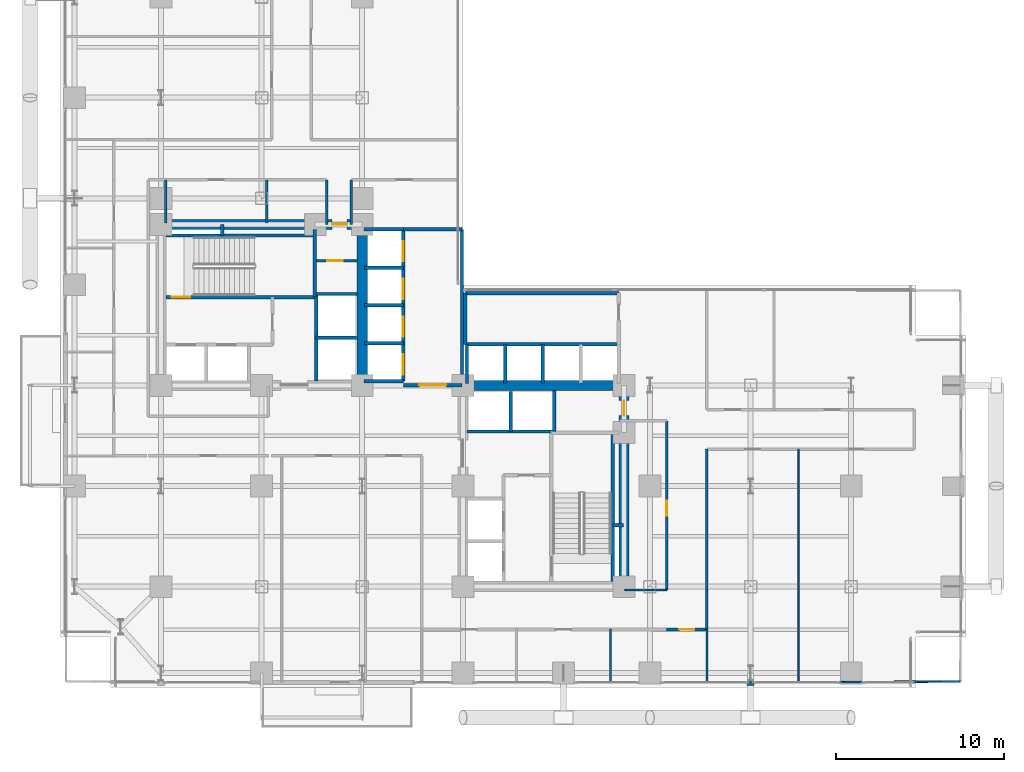
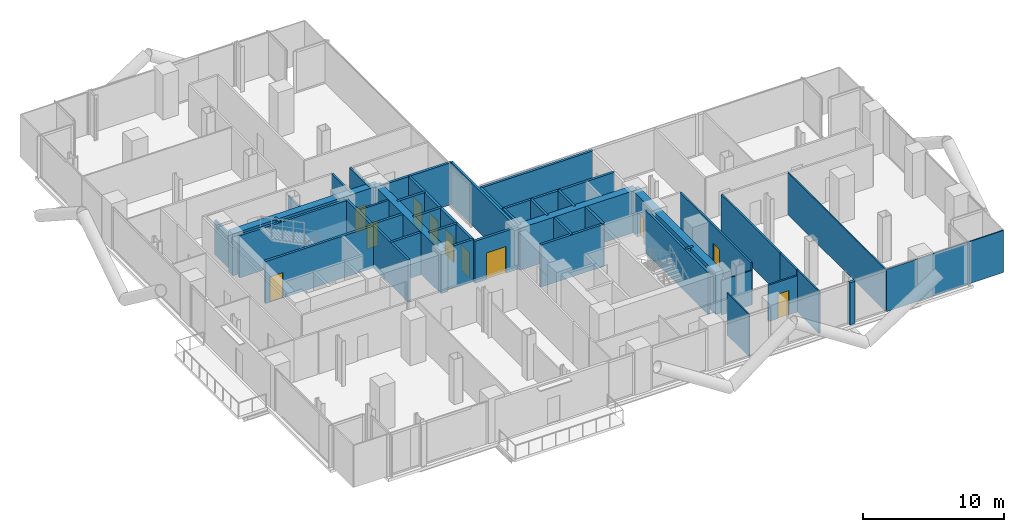
# One storey, part 21 of 25: 46 walls, 11 doors, 11 openings.
"""IFC4 building model written with IfcOpenShell, lengths in metres."""

from ifc_helpers import new_model, si_unit, direction, frame, frame_2d, origin, place, context, subcontext, project, spatial, rectangle, extrude, material, layer, layer_set, type_object, element, fill, save


model = new_model("IFC4")

# Units and contexts
model_context = context("Model", 3, precision=1e-05, world=origin(), true_north=direction((0.0, 1.0)))
body_context = subcontext(model_context, "Body", "Model", "MODEL_VIEW")
ifc_project = project(units=[si_unit("LENGTHUNIT", "METRE"), si_unit("AREAUNIT", "SQUARE_METRE"), si_unit("VOLUMEUNIT", "CUBIC_METRE"), si_unit("PLANEANGLEUNIT", "RADIAN"), si_unit("MASSUNIT", "GRAM", prefix="KILO"), si_unit("THERMODYNAMICTEMPERATUREUNIT", "KELVIN"), si_unit("POWERUNIT", "WATT")], contexts=[model_context])

# Site, building, storey
site_placement = place(None, origin())
site = spatial("IfcSite", under=ifc_project, at=site_placement, CompositionType="ELEMENT")
building_placement = place(site_placement, origin())
building = spatial("IfcBuilding", under=site, at=building_placement, Name="Svarakhadi Broadcast Tower", CompositionType="ELEMENT")
storey_placement = place(building_placement, frame((0.0, 0.0, 32.39990234375)))
storey = spatial("IfcBuildingStorey", under=building, at=storey_placement, Name="L06", CompositionType="ELEMENT", Elevation=32.39990234375)

# Walls
ifc_material_1 = material(Name="Concrete C40/50 (IS 456 M50)", Category="concrete")
ifc_layer_1 = layer(ifc_material_1, 0.239990234375)
ifc_layer_set_1 = layer_set([ifc_layer_1], Name="Concrete C40/50 (IS 456 M50)")
wall_type_1 = type_object("IfcWallType", Name="Wall_Ext_240", PredefinedType="SOLIDWALL", material=ifc_layer_set_1)
wall_1_placement = place(storey_placement, frame((41.364990234375, 0.239990234375, 0.0), z_axis=(0.0, 0.0, 1.0), x_axis=(-1.0, 0.0, 0.0)))
element("IfcWall", 1, at=wall_1_placement, inside=storey, type_object=wall_type_1, Name="L06 Perimeter Bronze Spandrel Closure Wall 05", PredefinedType="SOLIDWALL", context=body_context, shape_type="SweptSolid", body=[
    extrude(rectangle(XDim=0.429931640625, YDim=0.239990234375, at=frame_2d((0.21484375, 0.0))), origin(), (0.0, 0.0, 1.0), 3.650146484375),
])
ifc_layer_2 = layer(ifc_material_1, 0.199951171875)
ifc_layer_set_2 = layer_set([ifc_layer_2], Name="Concrete C40/50 (IS 456 M50)")
wall_type_2 = type_object("IfcWallType", Name="Wall_Fire_200", PredefinedType="SOLIDWALL", material=ifc_layer_set_2)
for number, where, z_axis, x_axis, name in (
    (2, (9.659912109375, 26.93994140625, 0.0), (0.0, 0.0, 1.0), (0.0, 1.0, 0.0), "L06 Wet Riser Shaft East Wall"),
    (3, (32.93994140625, 9.659912109375, 0.0), (0.0, 0.0, 1.0), (1.0, 0.0, 0.0), "L06 HV Busduct Riser Shaft North Wall"),
):
    element("IfcWall", number, at=place(storey_placement, frame(where, z_axis=z_axis, x_axis=x_axis)), inside=storey, type_object=wall_type_2, Name=name, PredefinedType="SOLIDWALL", context=body_context, shape_type="SweptSolid", body=[
        extrude(rectangle(XDim=0.64013671875, YDim=0.199951171875, at=frame_2d((0.320068359375, 0.0))), origin(), (0.0, 0.0, 1.0), 3.650146484375),
    ])
ifc_material_2 = material(Name="Fire-Rated Moisture-Resistant Gypsum Board Partition", Category="gypsum")
ifc_layer_3 = layer(ifc_material_2, 0.10009765625)
ifc_layer_set_3 = layer_set([ifc_layer_3], Name="Fire-Rated Moisture-Resistant Gypsum Board Partition")
wall_type_3 = type_object("IfcWallType", Name="Wall_Part_100", PredefinedType="PARTITIONING", material=ifc_layer_set_3)
wall_2_placement = place(storey_placement, frame((44.0, 0.300048828125, 0.0), z_axis=(0.0, 0.0, 1.0), x_axis=(0.0, 1.0, 0.0)))
element("IfcWall", 4, at=wall_2_placement, inside=storey, type_object=wall_type_3, Name="L06 Waterfront International News Desk Wall", PredefinedType="PARTITIONING", context=body_context, shape_type="SweptSolid", body=[
    extrude(rectangle(XDim=13.89990234375, YDim=0.10009765625, at=frame_2d((6.949951171875, 0.0))), origin(), (0.0, 0.0, 1.0), 3.650146484375),
])
wall_3_placement = place(storey_placement, frame((44.0, 0.300048828125, 0.0), z_axis=(0.0, 0.0, 1.0), x_axis=(0.99998655059, 0.005186389791, 0.0)))
element("IfcWall", 5, at=wall_3_placement, inside=storey, type_object=wall_type_3, Name="L06 Wire Service Server Room Wall", PredefinedType="PARTITIONING", context=body_context, shape_type="SweptSolid", body=[
    extrude(rectangle(XDim=9.650146484375, YDim=0.10009765625, at=frame_2d((4.8251953125, 0.0))), origin(), (0.0, 0.0, 1.0), 3.650146484375),
])
for number, where, z_axis, x_axis, name in (
    (6, (32.800048828125, 0.300048828125, 0.0), (0.0, 0.0, 1.0), (0.0, 1.0, 0.0), "L06 Media Legal Review Office Wall"),
    (7, (38.550048828125, 0.300048828125, 0.0), (0.0, 0.0, 1.0), (0.0, 1.0, 0.0), "L06 Broadcast Staff Refreshment Pantry Wall"),
):
    element("IfcWall", number, at=place(storey_placement, frame(where, z_axis=z_axis, x_axis=x_axis)), inside=storey, type_object=wall_type_3, Name=name, PredefinedType="PARTITIONING", context=body_context, shape_type="SweptSolid", body=[
        extrude(rectangle(XDim=3.14990234375, YDim=0.10009765625, at=frame_2d((1.574951171875, 0.0))), origin(), (0.0, 0.0, 1.0), 3.650146484375),
    ])
wall_4_placement = place(storey_placement, frame((33.64990234375, 5.800048828125, 0.0), z_axis=(0.0, 0.0, 1.0), x_axis=(1.0, 0.0, 0.0)))
element("IfcWall", 8, at=wall_4_placement, inside=storey, type_object=wall_type_3, Name="L06 Live Feed Monitoring Studio Wall", PredefinedType="PARTITIONING", context=body_context, shape_type="SweptSolid", body=[
    extrude(rectangle(XDim=2.5, YDim=0.10009765625, at=frame_2d((1.25, 0.0))), origin(), (0.0, 0.0, 1.0), 2.9921875),
])

# Wall, opening, door
ifc_material_3 = material(Name="Autoclaved Aerated Concrete Blockwork 150 mm", Category="masonry")
ifc_layer_4 = layer(ifc_material_3, 0.14990234375)
ifc_layer_set_4 = layer_set([ifc_layer_4], Name="Autoclaved Aerated Concrete Blockwork 150 mm")
wall_type_4 = type_object("IfcWallType", Name="Wall_Part_150", PredefinedType="PARTITIONING", material=ifc_layer_set_4)
wall_5_placement = place(storey_placement, frame((15.280029296875, 25.43994140625, 0.0), z_axis=(0.0, 0.0, 1.0), x_axis=(1.0, 0.0, 0.0)))
wall_5 = element("IfcWall", 9, at=wall_5_placement, inside=storey, type_object=wall_type_4, Name="L06 West Core Service Split Wall", PredefinedType="PARTITIONING", context=body_context, shape_type="SweptSolid", body=[
    extrude(rectangle(XDim=2.419921875, YDim=0.14990234375, at=frame_2d((1.2099609375, 0.0))), origin(), (0.0, 0.0, 1.0), 3.650146484375),
])
opening_1_placement = place(wall_5_placement, frame((0.64990234375, 0.0, 0.0)))
opening_1 = element("IfcOpeningElement", 10, at=opening_1_placement, cuts=wall_5, Name="Opening D-04", PredefinedType="OPENING", context=body_context, shape_type="SweptSolid", body=[
    extrude(rectangle(XDim=0.89990234375, YDim=2.14990234375, at=frame_2d((0.449951171875, 1.074951171875))), frame((0.0, 0.0849609375, 0.0), z_axis=(0.0, -1.0, 0.0), x_axis=(1.0, 0.0, 0.0)), (0.0, 0.0, 1.0), 0.169921875),
])
ifc_material_4 = material(Name="Galvanised Powder-Coated Fire-Rated Steel Leaf", Category="steel")
door_type_1 = type_object("IfcDoorType", Name="Door_Fire_D04", OperationType="SINGLE_SWING_RIGHT", PredefinedType="DOOR", material=ifc_material_4)
door_1_placement = place(opening_1_placement, origin())
door_1 = element("IfcDoor", 11, at=door_1_placement, inside=storey, type_object=door_type_1, Name="L06 West Core Inner Store Door", OperationType="SINGLE_SWING_RIGHT", OverallHeight=2.14990234375, OverallWidth=0.89990234375, PredefinedType="DOOR", context=body_context, shape_type="SweptSolid", body=[
    extrude(rectangle(XDim=0.89990234375, YDim=2.14990234375, at=frame_2d((0.449951171875, 1.074951171875))), frame((0.0, 0.02490234375, 0.0), z_axis=(0.0, -1.0, 0.0), x_axis=(1.0, 0.0, 0.0)), (0.0, 0.0, 1.0), 0.050048828125),
])
fill(opening_1, door_1)

wall_6_placement = place(storey_placement, frame((36.14990234375, 5.800048828125, 0.0), z_axis=(0.0, 0.0, 1.0), x_axis=(0.0, 1.0, 0.0)))
wall_6 = element("IfcWall", 12, at=wall_6_placement, inside=storey, type_object=wall_type_4, Name="L06 Broadcast Corridor Wall", PredefinedType="PARTITIONING", context=body_context, shape_type="SweptSolid", body=[
    extrude(rectangle(XDim=10.079833984375, YDim=0.14990234375, at=frame_2d((5.0400390625, 0.0))), origin(), (0.0, 0.0, 1.0), 3.650146484375),
])
opening_2_placement = place(wall_6_placement, frame((4.429931640625, 0.0, 0.0)))
opening_2 = element("IfcOpeningElement", 13, at=opening_2_placement, cuts=wall_6, Name="Opening D-14", PredefinedType="OPENING", context=body_context, shape_type="SweptSolid", body=[
    extrude(rectangle(XDim=0.89990234375, YDim=2.10009765625, at=frame_2d((0.449951171875, 1.050048828125))), frame((0.0, 0.0849609375, 0.0), z_axis=(0.0, -1.0, 0.0), x_axis=(1.0, 0.0, 0.0)), (0.0, 0.0, 1.0), 0.169921875),
])
ifc_material_5 = material(Name="Solid-Core Teak Veneer Acoustic Timber Leaf", Category="wood")
door_type_2 = type_object("IfcDoorType", Name="Door_Int_D14", OperationType="SINGLE_SWING_LEFT", PredefinedType="DOOR", material=ifc_material_5)
door_2_placement = place(opening_2_placement, origin())
door_2 = element("IfcDoor", 14, at=door_2_placement, inside=storey, type_object=door_type_2, Name="L06 Live Feed Monitoring Studio Door", OperationType="SINGLE_SWING_LEFT", OverallHeight=2.10009765625, OverallWidth=0.89990234375, PredefinedType="DOOR", context=body_context, shape_type="SweptSolid", body=[
    extrude(rectangle(XDim=0.89990234375, YDim=2.10009765625, at=frame_2d((0.449951171875, 1.050048828125))), frame((0.0, 0.02490234375, 0.0), z_axis=(0.0, -1.0, 0.0), x_axis=(1.0, 0.0, 0.0)), (0.0, 0.0, 1.0), 0.050048828125),
])
fill(opening_2, door_2)

# Walls
wall_7_placement = place(storey_placement, frame((38.550048828125, 14.199951171875, 0.0), z_axis=(0.0, 0.0, 1.0), x_axis=(0.0, -1.0, 0.0)))
element("IfcWall", 15, at=wall_7_placement, inside=storey, type_object=wall_type_4, Name="L06 Broadcast Corridor Wall", PredefinedType="PARTITIONING", context=body_context, shape_type="SweptSolid", body=[
    extrude(rectangle(XDim=8.39990234375, YDim=0.14990234375, at=frame_2d((4.199951171875, 0.0))), origin(), (0.0, 0.0, 1.0), 3.650146484375),
])
wall_8_placement = place(storey_placement, frame((38.550048828125, 5.800048828125, 0.0), z_axis=(0.0, 0.0, 1.0), x_axis=(0.0, -1.0, 0.0)))
element("IfcWall", 16, at=wall_8_placement, inside=storey, type_object=wall_type_4, Name="L06 Broadcast Corridor Wall", PredefinedType="PARTITIONING", context=body_context, shape_type="SweptSolid", body=[
    extrude(rectangle(XDim=2.35009765625, YDim=0.14990234375, at=frame_2d((1.175048828125, 0.0))), origin(), (0.0, 0.0, 1.0), 3.650146484375),
])

# Wall, opening, door
wall_9_placement = place(storey_placement, frame((38.550048828125, 3.449951171875, 0.0), z_axis=(0.0, 0.0, 1.0), x_axis=(-1.0, 0.0, 0.0)))
wall_9 = element("IfcWall", 17, at=wall_9_placement, inside=storey, type_object=wall_type_4, Name="L06 Broadcast Corridor Wall", PredefinedType="PARTITIONING", context=body_context, shape_type="SweptSolid", body=[
    extrude(rectangle(XDim=2.400146484375, YDim=0.14990234375, at=frame_2d((1.2001953125, 0.0))), origin(), (0.0, 0.0, 1.0), 3.14208984375),
])
opening_3_placement = place(wall_9_placement, frame((0.75, 0.0, 0.0)))
opening_3 = element("IfcOpeningElement", 18, at=opening_3_placement, cuts=wall_9, Name="Opening D-15", PredefinedType="OPENING", context=body_context, shape_type="SweptSolid", body=[
    extrude(rectangle(XDim=0.89990234375, YDim=2.10009765625, at=frame_2d((0.449951171875, 1.050048828125))), frame((0.0, 0.0849609375, 0.0), z_axis=(0.0, -1.0, 0.0), x_axis=(1.0, 0.0, 0.0)), (0.0, 0.0, 1.0), 0.169921875),
])
door_type_3 = type_object("IfcDoorType", Name="Door_Int_D15", OperationType="SINGLE_SWING_RIGHT", PredefinedType="DOOR", material=ifc_material_5)
door_3_placement = place(opening_3_placement, origin())
door_3 = element("IfcDoor", 19, at=door_3_placement, inside=storey, type_object=door_type_3, Name="L06 Broadcast Staff Refreshment Pantry Door", OperationType="SINGLE_SWING_RIGHT", OverallHeight=2.10009765625, OverallWidth=0.89990234375, PredefinedType="DOOR", context=body_context, shape_type="SweptSolid", body=[
    extrude(rectangle(XDim=0.89990234375, YDim=2.10009765625, at=frame_2d((0.449951171875, 1.050048828125))), frame((0.0, 0.02490234375, 0.0), z_axis=(0.0, -1.0, 0.0), x_axis=(1.0, 0.0, 0.0)), (0.0, 0.0, 1.0), 0.050048828125),
])
fill(opening_3, door_3)

# Walls
for number, where, z_axis, x_axis, name in (
    (20, (17.35009765625, 30.25, 0.0), (0.0, 0.0, 1.0), (0.0, -1.0, 0.0), "L06 Broadcast Corridor Wall"),
    (21, (15.8798828125, 27.580078125, 0.0), (0.0, 0.0, 1.0), (0.0, 1.0, 0.0), "L06 Broadcast Corridor Wall"),
):
    element("IfcWall", number, at=place(storey_placement, frame(where, z_axis=z_axis, x_axis=x_axis)), inside=storey, type_object=wall_type_4, Name=name, PredefinedType="PARTITIONING", context=body_context, shape_type="SweptSolid", body=[
        extrude(rectangle(XDim=2.669921875, YDim=0.14990234375, at=frame_2d((1.3349609375, 0.0))), origin(), (0.0, 0.0, 1.0), 3.650146484375),
    ])
for number, where, z_axis, x_axis, name in (
    (22, (6.300048828125, 27.679931640625, 0.0), (0.0, 0.0, 1.0), (0.0, 1.0, 0.0), "L06 Accessible Toilet WC Wall"),
    (23, (12.300048828125, 27.679931640625, 0.0), (0.0, 0.0, 1.0), (0.0, 1.0, 0.0), "L06 Accessible Toilet WC Wall"),
):
    element("IfcWall", number, at=place(storey_placement, frame(where, z_axis=z_axis, x_axis=x_axis)), inside=storey, type_object=wall_type_4, Name=name, PredefinedType="PARTITIONING", context=body_context, shape_type="SweptSolid", body=[
        extrude(rectangle(XDim=2.570068359375, YDim=0.14990234375, at=frame_2d((1.28515625, 0.0))), origin(), (0.0, 0.0, 1.0), 2.9921875),
    ])

# Wall, opening, door
ifc_material_6 = material(Name="Concrete C50/60 (IS 456 M60)", Category="concrete")
ifc_layer_5 = layer(ifc_material_6, 0.199951171875)
ifc_layer_set_5 = layer_set([ifc_layer_5], Name="Concrete C50/60 (IS 456 M60)")
wall_type_5 = type_object("IfcWallType", Name="Wall_Shear_200", PredefinedType="SHEAR", material=ifc_layer_set_5)
wall_10_placement = place(storey_placement, frame((6.300048828125, 23.260009765625, 0.0), z_axis=(0.0, 0.0, 1.0), x_axis=(1.0, 0.0, 0.0)))
wall_10 = element("IfcWall", 24, at=wall_10_placement, inside=storey, type_object=wall_type_5, Name="L06 Stair ST-01 South RC Shaft Wall", PredefinedType="SHEAR", context=body_context, shape_type="SweptSolid", body=[
    extrude(rectangle(XDim=8.8798828125, YDim=0.199951171875, at=frame_2d((4.43994140625, 0.0))), origin(), (0.0, 0.0, 1.0), 3.650146484375),
])
opening_4_placement = place(wall_10_placement, frame((0.35009765625, 0.0, 0.0)))
opening_4 = element("IfcOpeningElement", 25, at=opening_4_placement, cuts=wall_10, Name="Opening D-01", PredefinedType="OPENING", context=body_context, shape_type="SweptSolid", body=[
    extrude(rectangle(XDim=1.10009765625, YDim=2.199951171875, at=frame_2d((0.550048828125, 1.10009765625))), frame((0.0, 0.10986328125, 0.0), z_axis=(0.0, -1.0, 0.0), x_axis=(1.0, 0.0, 0.0)), (0.0, 0.0, 1.0), 0.219970703125),
])
door_type_4 = type_object("IfcDoorType", Name="Door_Stair_D01", OperationType="SINGLE_SWING_LEFT", PredefinedType="DOOR", material=ifc_material_4)
door_4_placement = place(opening_4_placement, origin())
door_4 = element("IfcDoor", 26, at=door_4_placement, inside=storey, type_object=door_type_4, Name="L06 Protected Exit Stair ST-01 Fire Door", OperationType="SINGLE_SWING_LEFT", OverallHeight=2.199951171875, OverallWidth=1.10009765625, PredefinedType="DOOR", context=body_context, shape_type="SweptSolid", body=[
    extrude(rectangle(XDim=1.10009765625, YDim=2.199951171875, at=frame_2d((0.550048828125, 1.10009765625))), frame((0.0, 0.02490234375, 0.0), z_axis=(0.0, -1.0, 0.0), x_axis=(1.0, 0.0, 0.0)), (0.0, 0.0, 1.0), 0.050048828125),
])
fill(opening_4, door_4)

# Walls
wall_11_placement = place(storey_placement, frame((6.300048828125, 26.93994140625, 0.0), z_axis=(0.0, 0.0, 1.0), x_axis=(1.0, 0.0, 0.0)))
element("IfcWall", 27, at=wall_11_placement, inside=storey, type_object=wall_type_5, Name="L06 Stair ST-01 North RC Shaft Wall", PredefinedType="SHEAR", context=body_context, shape_type="SweptSolid", body=[
    extrude(rectangle(XDim=8.8798828125, YDim=0.199951171875, at=frame_2d((4.43994140625, 0.0))), origin(), (0.0, 0.0, 1.0), 3.650146484375),
])
wall_12_placement = place(storey_placement, frame((15.179931640625, 23.260009765625, 0.0), z_axis=(0.0, 0.0, 1.0), x_axis=(0.0, 1.0, 0.0)))
element("IfcWall", 28, at=wall_12_placement, inside=storey, type_object=wall_type_5, Name="L06 Stair ST-01 East RC Shaft Wall", PredefinedType="SHEAR", context=body_context, shape_type="SweptSolid", body=[
    extrude(rectangle(XDim=4.0400390625, YDim=0.199951171875, at=frame_2d((2.02001953125, 0.0))), origin(), (0.0, 0.0, 1.0), 3.650146484375),
])
wall_13_placement = place(storey_placement, frame((32.93994140625, 6.300048828125, 0.0), z_axis=(0.0, 0.0, 1.0), x_axis=(0.0, 1.0, 0.0)))
element("IfcWall", 29, at=wall_13_placement, inside=storey, type_object=wall_type_5, Name="L06 Stair ST-02 East RC Shaft Wall", PredefinedType="SHEAR", context=body_context, shape_type="SweptSolid", body=[
    extrude(rectangle(XDim=8.8798828125, YDim=0.199951171875, at=frame_2d((4.43994140625, 0.0))), origin(), (0.0, 0.0, 1.0), 3.650146484375),
])
wall_14_placement = place(storey_placement, frame((15.25, 18.25, 0.0), z_axis=(0.0, 0.0, 1.0), x_axis=(0.0, 1.0, 0.0)))
element("IfcWall", 30, at=wall_14_placement, inside=storey, type_object=wall_type_5, Name="L06 High-Rise Lift LF-13/14 West Shaft Wall", PredefinedType="SHEAR", context=body_context, shape_type="SweptSolid", body=[
    extrude(rectangle(XDim=5.199951171875, YDim=0.199951171875, at=frame_2d((2.60009765625, 0.0))), origin(), (0.0, 0.0, 1.0), 3.650146484375),
])
wall_15_placement = place(storey_placement, frame((15.25, 20.85009765625, 0.0), z_axis=(0.0, 0.0, 1.0), x_axis=(1.0, 0.0, 0.0)))
element("IfcWall", 31, at=wall_15_placement, inside=storey, type_object=wall_type_5, Name="L06 High-Rise Lift LF-13/14 Divider", PredefinedType="SHEAR", context=body_context, shape_type="SweptSolid", body=[
    extrude(rectangle(XDim=2.39990234375, YDim=0.199951171875, at=frame_2d((1.199951171875, 0.0))), origin(), (0.0, 0.0, 1.0), 3.650146484375),
])
wall_16_placement = place(storey_placement, frame((15.25, 23.449951171875, 0.0), z_axis=(0.0, 0.0, 1.0), x_axis=(1.0, 0.0, 0.0)))
element("IfcWall", 32, at=wall_16_placement, inside=storey, type_object=wall_type_5, Name="L06 High-Rise Lift LF-13/14 North Wall", PredefinedType="SHEAR", context=body_context, shape_type="SweptSolid", body=[
    extrude(rectangle(XDim=2.449951171875, YDim=0.199951171875, at=frame_2d((1.22509765625, 0.0))), origin(), (0.0, 0.0, 1.0), 3.650146484375),
])
wall_17_placement = place(storey_placement, frame((24.25, 15.25, 0.0), z_axis=(0.0, 0.0, 1.0), x_axis=(1.0, 0.0, 0.0)))
element("IfcWall", 33, at=wall_17_placement, inside=storey, type_object=wall_type_5, Name="L06 High-Rise Lift LF-15/16 South Shaft Wall", PredefinedType="SHEAR", context=body_context, shape_type="SweptSolid", body=[
    extrude(rectangle(XDim=5.199951171875, YDim=0.199951171875, at=frame_2d((2.60009765625, 0.0))), origin(), (0.0, 0.0, 1.0), 3.650146484375),
])
wall_18_placement = place(storey_placement, frame((26.85009765625, 15.25, 0.0), z_axis=(0.0, 0.0, 1.0), x_axis=(0.0, 1.0, 0.0)))
element("IfcWall", 34, at=wall_18_placement, inside=storey, type_object=wall_type_5, Name="L06 High-Rise Lift LF-15/16 Divider", PredefinedType="SHEAR", context=body_context, shape_type="SweptSolid", body=[
    extrude(rectangle(XDim=2.39990234375, YDim=0.199951171875, at=frame_2d((1.199951171875, 0.0))), origin(), (0.0, 0.0, 1.0), 3.650146484375),
])
wall_19_placement = place(storey_placement, frame((29.449951171875, 15.25, 0.0), z_axis=(0.0, 0.0, 1.0), x_axis=(0.0, 1.0, 0.0)))
element("IfcWall", 35, at=wall_19_placement, inside=storey, type_object=wall_type_5, Name="L06 High-Rise Lift LF-15/16 East Wall", PredefinedType="SHEAR", context=body_context, shape_type="SweptSolid", body=[
    extrude(rectangle(XDim=2.449951171875, YDim=0.199951171875, at=frame_2d((1.22509765625, 0.0))), origin(), (0.0, 0.0, 1.0), 3.650146484375),
])
for number, where, z_axis, x_axis, name in (
    (36, (18.10009765625, 27.300048828125, 0.0), (0.0, 0.0, 1.0), (1.0, 0.0, 0.0), "L06 Bank A North Shaft Wall"),
    (37, (18.10009765625, 18.25, 0.0), (0.0, 0.0, 1.0), (1.0, 0.0, 0.0), "L06 Bank A South Shaft Wall"),
):
    element("IfcWall", number, at=place(storey_placement, frame(where, z_axis=z_axis, x_axis=x_axis)), inside=storey, type_object=wall_type_5, Name=name, PredefinedType="SHEAR", context=body_context, shape_type="SweptSolid", body=[
        extrude(rectangle(XDim=2.349853515625, YDim=0.199951171875, at=frame_2d((1.1748046875, 0.0))), origin(), (0.0, 0.0, 1.0), 3.650146484375),
    ])

# Wall, openings, doors
wall_20_placement = place(storey_placement, frame((20.449951171875, 18.25, 0.0), z_axis=(0.0, 0.0, 1.0), x_axis=(0.0, 1.0, 0.0)))
wall_20 = element("IfcWall", 38, at=wall_20_placement, inside=storey, type_object=wall_type_5, Name="L06 Bank A East Landing Wall", PredefinedType="SHEAR", context=body_context, shape_type="SweptSolid", body=[
    extrude(rectangle(XDim=9.050048828125, YDim=0.199951171875, at=frame_2d((4.52490234375, 0.0))), origin(), (0.0, 0.0, 1.0), 3.650146484375),
])
opening_5_placement = place(wall_20_placement, frame((0.39990234375, 0.0, 0.0)))
opening_5 = element("IfcOpeningElement", 39, at=opening_5_placement, cuts=wall_20, Name="Opening LD-02", PredefinedType="OPENING", context=body_context, shape_type="SweptSolid", body=[
    extrude(rectangle(XDim=1.199951171875, YDim=2.199951171875, at=frame_2d((0.60009765625, 1.10009765625))), frame((0.0, 0.10986328125, 0.0), z_axis=(0.0, -1.0, 0.0), x_axis=(1.0, 0.0, 0.0)), (0.0, 0.0, 1.0), 0.219970703125),
])
opening_6_placement = place(wall_20_placement, frame((2.64990234375, 0.0, 0.0)))
opening_6 = element("IfcOpeningElement", 40, at=opening_6_placement, cuts=wall_20, Name="Opening LD-02", PredefinedType="OPENING", context=body_context, shape_type="SweptSolid", body=[
    extrude(rectangle(XDim=1.199951171875, YDim=2.199951171875, at=frame_2d((0.60009765625, 1.10009765625))), frame((0.0, 0.10986328125, 0.0), z_axis=(0.0, -1.0, 0.0), x_axis=(1.0, 0.0, 0.0)), (0.0, 0.0, 1.0), 0.219970703125),
])
opening_7_placement = place(wall_20_placement, frame((4.89990234375, 0.0, 0.0)))
opening_7 = element("IfcOpeningElement", 41, at=opening_7_placement, cuts=wall_20, Name="Opening LD-02", PredefinedType="OPENING", context=body_context, shape_type="SweptSolid", body=[
    extrude(rectangle(XDim=1.199951171875, YDim=2.199951171875, at=frame_2d((0.60009765625, 1.10009765625))), frame((0.0, 0.10986328125, 0.0), z_axis=(0.0, -1.0, 0.0), x_axis=(1.0, 0.0, 0.0)), (0.0, 0.0, 1.0), 0.219970703125),
])
opening_8_placement = place(wall_20_placement, frame((7.14990234375, 0.0, 0.0)))
opening_8 = element("IfcOpeningElement", 42, at=opening_8_placement, cuts=wall_20, Name="Opening LD-02", PredefinedType="OPENING", context=body_context, shape_type="SweptSolid", body=[
    extrude(rectangle(XDim=1.199951171875, YDim=2.199951171875, at=frame_2d((0.60009765625, 1.10009765625))), frame((0.0, 0.10986328125, 0.0), z_axis=(0.0, -1.0, 0.0), x_axis=(1.0, 0.0, 0.0)), (0.0, 0.0, 1.0), 0.219970703125),
])
door_type_5 = type_object("IfcDoorType", Name="Door_Lift_LD02", OperationType="SLIDING_TO_RIGHT", PredefinedType="DOOR", material=ifc_material_4)
door_5_placement = place(opening_5_placement, origin())
door_5 = element("IfcDoor", 43, at=door_5_placement, inside=storey, type_object=door_type_5, Name="L06 Low-Rise Lift LF-05 Landing Door", OperationType="SLIDING_TO_RIGHT", OverallHeight=2.199951171875, OverallWidth=1.199951171875, PredefinedType="DOOR", context=body_context, shape_type="SweptSolid", body=[
    extrude(rectangle(XDim=1.199951171875, YDim=2.199951171875, at=frame_2d((0.60009765625, 1.10009765625))), frame((0.0, 0.02490234375, 0.0), z_axis=(0.0, -1.0, 0.0), x_axis=(1.0, 0.0, 0.0)), (0.0, 0.0, 1.0), 0.050048828125),
])
fill(opening_5, door_5)
door_6_placement = place(opening_6_placement, origin())
door_6 = element("IfcDoor", 44, at=door_6_placement, inside=storey, type_object=door_type_5, Name="L06 Low-Rise Lift LF-06 Landing Door", OperationType="SLIDING_TO_RIGHT", OverallHeight=2.199951171875, OverallWidth=1.199951171875, PredefinedType="DOOR", context=body_context, shape_type="SweptSolid", body=[
    extrude(rectangle(XDim=1.199951171875, YDim=2.199951171875, at=frame_2d((0.60009765625, 1.10009765625))), frame((0.0, 0.02490234375, 0.0), z_axis=(0.0, -1.0, 0.0), x_axis=(1.0, 0.0, 0.0)), (0.0, 0.0, 1.0), 0.050048828125),
])
fill(opening_6, door_6)
door_7_placement = place(opening_7_placement, origin())
door_7 = element("IfcDoor", 45, at=door_7_placement, inside=storey, type_object=door_type_5, Name="L06 Low-Rise Lift LF-07 Landing Door", OperationType="SLIDING_TO_RIGHT", OverallHeight=2.199951171875, OverallWidth=1.199951171875, PredefinedType="DOOR", context=body_context, shape_type="SweptSolid", body=[
    extrude(rectangle(XDim=1.199951171875, YDim=2.199951171875, at=frame_2d((0.60009765625, 1.10009765625))), frame((0.0, 0.02490234375, 0.0), z_axis=(0.0, -1.0, 0.0), x_axis=(1.0, 0.0, 0.0)), (0.0, 0.0, 1.0), 0.050048828125),
])
fill(opening_7, door_7)
door_8_placement = place(opening_8_placement, origin())
door_8 = element("IfcDoor", 46, at=door_8_placement, inside=storey, type_object=door_type_5, Name="L06 Low-Rise Lift LF-08 Landing Door", OperationType="SLIDING_TO_RIGHT", OverallHeight=2.199951171875, OverallWidth=1.199951171875, PredefinedType="DOOR", context=body_context, shape_type="SweptSolid", body=[
    extrude(rectangle(XDim=1.199951171875, YDim=2.199951171875, at=frame_2d((0.60009765625, 1.10009765625))), frame((0.0, 0.02490234375, 0.0), z_axis=(0.0, -1.0, 0.0), x_axis=(1.0, 0.0, 0.0)), (0.0, 0.0, 1.0), 0.050048828125),
])
fill(opening_8, door_8)

# Walls
for number, where, z_axis, x_axis, name in (
    (47, (18.14990234375, 20.52001953125, 0.0), (0.0, 0.0, 1.0), (1.0, 0.0, 0.0), "L06 Bank A Divider"),
    (48, (18.14990234375, 22.77001953125, 0.0), (0.0, 0.0, 1.0), (1.0, 0.0, 0.0), "L06 Bank A Divider"),
    (49, (18.14990234375, 25.02001953125, 0.0), (0.0, 0.0, 1.0), (1.0, 0.0, 0.0), "L06 Bank A Divider"),
):
    element("IfcWall", number, at=place(storey_placement, frame(where, z_axis=z_axis, x_axis=x_axis)), inside=storey, type_object=wall_type_5, Name=name, PredefinedType="SHEAR", context=body_context, shape_type="SweptSolid", body=[
        extrude(rectangle(XDim=2.300048828125, YDim=0.199951171875, at=frame_2d((1.14990234375, 0.0))), origin(), (0.0, 0.0, 1.0), 3.650146484375),
    ])

# Wall, opening, door
wall_21_placement = place(storey_placement, frame((20.449951171875, 18.0, 0.0), z_axis=(0.0, 0.0, 1.0), x_axis=(1.0, 0.0, 0.0)))
wall_21 = element("IfcWall", 50, at=wall_21_placement, inside=storey, type_object=wall_type_5, Name="L06 Bank A Lift Hall South Wall", PredefinedType="SHEAR", context=body_context, shape_type="SweptSolid", body=[
    extrude(rectangle(XDim=3.5, YDim=0.199951171875, at=frame_2d((1.75, 0.0))), origin(), (0.0, 0.0, 1.0), 3.650146484375),
])
opening_9_placement = place(wall_21_placement, frame((0.949951171875, 0.0, 0.0)))
opening_9 = element("IfcOpeningElement", 51, at=opening_9_placement, cuts=wall_21, Name="Opening D-05", PredefinedType="OPENING", context=body_context, shape_type="SweptSolid", body=[
    extrude(rectangle(XDim=1.60009765625, YDim=2.300048828125, at=frame_2d((0.800048828125, 1.14990234375))), frame((0.0, 0.10986328125, 0.0), z_axis=(0.0, -1.0, 0.0), x_axis=(1.0, 0.0, 0.0)), (0.0, 0.0, 1.0), 0.219970703125),
])
ifc_material_7 = material(Name="Anodised Bronze Aluminium AA 6063-T6", Category="aluminium")
door_type_6 = type_object("IfcDoorType", Name="Door_Lobby_D05", OperationType="DOUBLE_DOOR_SLIDING", PredefinedType="DOOR", material=ifc_material_7)
door_9_placement = place(opening_9_placement, origin())
door_9 = element("IfcDoor", 52, at=door_9_placement, inside=storey, type_object=door_type_6, Name="L06 Low-Rise Lift Hall Corridor Door", OperationType="DOUBLE_DOOR_SLIDING", OverallHeight=2.300048828125, OverallWidth=1.60009765625, PredefinedType="DOOR", context=body_context, shape_type="SweptSolid", body=[
    extrude(rectangle(XDim=1.60009765625, YDim=2.300048828125, at=frame_2d((0.800048828125, 1.14990234375))), frame((0.0, 0.02490234375, 0.0), z_axis=(0.0, -1.0, 0.0), x_axis=(1.0, 0.0, 0.0)), (0.0, 0.0, 1.0), 0.050048828125),
])
fill(opening_9, door_9)

# Walls
wall_22_placement = place(storey_placement, frame((20.449951171875, 27.300048828125, 0.0), z_axis=(0.0, 0.0, 1.0), x_axis=(1.0, 0.0, 0.0)))
element("IfcWall", 53, at=wall_22_placement, inside=storey, type_object=wall_type_5, Name="L06 Bank A Lift Hall North Wall", PredefinedType="SHEAR", context=body_context, shape_type="SweptSolid", body=[
    extrude(rectangle(XDim=3.5, YDim=0.199951171875, at=frame_2d((1.75, 0.0))), origin(), (0.0, 0.0, 1.0), 3.650146484375),
])
wall_23_placement = place(storey_placement, frame((23.949951171875, 18.0, 0.0), z_axis=(0.0, 0.0, 1.0), x_axis=(0.0, 1.0, 0.0)))
element("IfcWall", 54, at=wall_23_placement, inside=storey, type_object=wall_type_5, Name="L06 Bank A Lift Hall East Wall", PredefinedType="SHEAR", context=body_context, shape_type="SweptSolid", body=[
    extrude(rectangle(XDim=9.300048828125, YDim=0.199951171875, at=frame_2d((4.64990234375, 0.0))), origin(), (0.0, 0.0, 1.0), 3.650146484375),
])
wall_24_placement = place(storey_placement, frame((24.25, 18.10009765625, 0.0), z_axis=(0.0, 0.0, 1.0), x_axis=(0.0, 1.0, 0.0)))
element("IfcWall", 55, at=wall_24_placement, inside=storey, type_object=wall_type_5, Name="L06 Bank B West Shaft Wall", PredefinedType="SHEAR", context=body_context, shape_type="SweptSolid", body=[
    extrude(rectangle(XDim=2.349853515625, YDim=0.199951171875, at=frame_2d((1.1748046875, 0.0))), origin(), (0.0, 0.0, 1.0), 3.650146484375),
])
wall_25_placement = place(storey_placement, frame((24.25, 20.449951171875, 0.0), z_axis=(0.0, 0.0, 1.0), x_axis=(1.0, 0.0, 0.0)))
element("IfcWall", 56, at=wall_25_placement, inside=storey, type_object=wall_type_5, Name="L06 Bank B North Landing Wall", PredefinedType="SHEAR", context=body_context, shape_type="SweptSolid", body=[
    extrude(rectangle(XDim=9.050048828125, YDim=0.199951171875, at=frame_2d((4.52490234375, 0.0))), origin(), (0.0, 0.0, 1.0), 3.650146484375),
])
for number, where, z_axis, x_axis, name in (
    (57, (26.52001953125, 18.14990234375, 0.0), (0.0, 0.0, 1.0), (0.0, 1.0, 0.0), "L06 Bank B Divider"),
    (58, (28.77001953125, 18.14990234375, 0.0), (0.0, 0.0, 1.0), (0.0, 1.0, 0.0), "L06 Bank B Divider"),
):
    element("IfcWall", number, at=place(storey_placement, frame(where, z_axis=z_axis, x_axis=x_axis)), inside=storey, type_object=wall_type_5, Name=name, PredefinedType="SHEAR", context=body_context, shape_type="SweptSolid", body=[
        extrude(rectangle(XDim=2.300048828125, YDim=0.199951171875, at=frame_2d((1.14990234375, 0.0))), origin(), (0.0, 0.0, 1.0), 3.650146484375),
    ])
wall_26_placement = place(storey_placement, frame((24.14990234375, 23.5, 0.0), z_axis=(0.0, 0.0, 1.0), x_axis=(1.0, 0.0, 0.0)))
element("IfcWall", 59, at=wall_26_placement, inside=storey, type_object=wall_type_5, Name="L06 Bank B Lift Hall North Wall", PredefinedType="SHEAR", context=body_context, shape_type="SweptSolid", body=[
    extrude(rectangle(XDim=9.150146484375, YDim=0.199951171875, at=frame_2d((4.5751953125, 0.0))), origin(), (0.0, 0.0, 1.0), 3.650146484375),
])
wall_27_placement = place(storey_placement, frame((24.14990234375, 20.449951171875, 0.0), z_axis=(0.0, 0.0, 1.0), x_axis=(0.0, 1.0, 0.0)))
element("IfcWall", 60, at=wall_27_placement, inside=storey, type_object=wall_type_5, Name="L06 Bank B Lift Hall West Wall", PredefinedType="SHEAR", context=body_context, shape_type="SweptSolid", body=[
    extrude(rectangle(XDim=3.050048828125, YDim=0.199951171875, at=frame_2d((1.52490234375, 0.0))), origin(), (0.0, 0.0, 1.0), 3.650146484375),
])

# Wall, opening, door
ifc_material_8 = material(Name="Concrete C60/75 (IS 456 M70)", Category="concrete")
ifc_layer_6 = layer(ifc_material_8, 0.60009765625)
ifc_layer_set_6 = layer_set([ifc_layer_6], Name="Concrete C60/75 (IS 456 M70)")
wall_type_6 = type_object("IfcWallType", Name="Wall_Shear_600", PredefinedType="SHEAR", material=ifc_layer_set_6)
wall_28_placement = place(storey_placement, frame((6.0, 27.60009765625, 0.0), z_axis=(0.0, 0.0, 1.0), x_axis=(1.0, 0.0, 0.0)))
wall_28 = element("IfcWall", 61, at=wall_28_placement, inside=storey, type_object=wall_type_6, Name="L06 West Core North Shear Wall", PredefinedType="SHEAR", context=body_context, shape_type="SweptSolid", body=[
    extrude(rectangle(XDim=12.0, YDim=0.60009765625, at=frame_2d((6.0, 0.0))), origin(), (0.0, 0.0, 1.0), 3.650146484375),
])
opening_10_placement = place(wall_28_placement, frame((10.199951171875, 0.0, 0.0)))
opening_10 = element("IfcOpeningElement", 62, at=opening_10_placement, cuts=wall_28, Name="Opening D-03", PredefinedType="OPENING", context=body_context, shape_type="SweptSolid", body=[
    extrude(rectangle(XDim=0.89990234375, YDim=2.14990234375, at=frame_2d((0.449951171875, 1.074951171875))), frame((0.0, 0.31005859375, 0.0), z_axis=(0.0, -1.0, 0.0), x_axis=(1.0, 0.0, 0.0)), (0.0, 0.0, 1.0), 0.6201171875),
])
door_type_7 = type_object("IfcDoorType", Name="Door_Fire_D03", OperationType="SINGLE_SWING_LEFT", PredefinedType="DOOR", material=ifc_material_4)
door_10_placement = place(opening_10_placement, origin())
door_10 = element("IfcDoor", 63, at=door_10_placement, inside=storey, type_object=door_type_7, Name="L06 West Core Outer Store Door", OperationType="SINGLE_SWING_LEFT", OverallHeight=2.14990234375, OverallWidth=0.89990234375, PredefinedType="DOOR", context=body_context, shape_type="SweptSolid", body=[
    extrude(rectangle(XDim=0.89990234375, YDim=2.14990234375, at=frame_2d((0.449951171875, 1.074951171875))), frame((0.0, 0.02490234375, 0.0), z_axis=(0.0, -1.0, 0.0), x_axis=(1.0, 0.0, 0.0)), (0.0, 0.0, 1.0), 0.050048828125),
])
fill(opening_10, door_10)

# Walls
for number, where, z_axis, x_axis, name in (
    (64, (18.0, 18.0, 0.0), (0.0, 0.0, 1.0), (0.0, 1.0, 0.0), "L06 West Core East Shear Wall"),
    (65, (24.0, 18.0, 0.0), (0.0, 0.0, 1.0), (1.0, 0.0, 0.0), "L06 East Core North Shear Wall"),
):
    element("IfcWall", number, at=place(storey_placement, frame(where, z_axis=z_axis, x_axis=x_axis)), inside=storey, type_object=wall_type_6, Name=name, PredefinedType="SHEAR", context=body_context, shape_type="SweptSolid", body=[
        extrude(rectangle(XDim=9.60009765625, YDim=0.60009765625, at=frame_2d((4.800048828125, 0.0))), origin(), (0.0, 0.0, 1.0), 3.650146484375),
    ])

# Wall, opening, door
wall_29_placement = place(storey_placement, frame((33.60009765625, 6.0, 0.0), z_axis=(0.0, 0.0, 1.0), x_axis=(0.0, 1.0, 0.0)))
wall_29 = element("IfcWall", 66, at=wall_29_placement, inside=storey, type_object=wall_type_6, Name="L06 East Core East Shear Wall", PredefinedType="SHEAR", context=body_context, shape_type="SweptSolid", body=[
    extrude(rectangle(XDim=12.0, YDim=0.60009765625, at=frame_2d((6.0, 0.0))), origin(), (0.0, 0.0, 1.0), 3.650146484375),
])
opening_11_placement = place(wall_29_placement, frame((10.199951171875, 0.0, 0.0)))
opening_11 = element("IfcOpeningElement", 67, at=opening_11_placement, cuts=wall_29, Name="Opening D-03", PredefinedType="OPENING", context=body_context, shape_type="SweptSolid", body=[
    extrude(rectangle(XDim=0.89990234375, YDim=2.14990234375, at=frame_2d((0.449951171875, 1.074951171875))), frame((0.0, 0.31005859375, 0.0), z_axis=(0.0, -1.0, 0.0), x_axis=(1.0, 0.0, 0.0)), (0.0, 0.0, 1.0), 0.6201171875),
])
door_11_placement = place(opening_11_placement, origin())
door_11 = element("IfcDoor", 68, at=door_11_placement, inside=storey, type_object=door_type_7, Name="L06 East Core Service Store Door", OperationType="SINGLE_SWING_LEFT", OverallHeight=2.14990234375, OverallWidth=0.89990234375, PredefinedType="DOOR", context=body_context, shape_type="SweptSolid", body=[
    extrude(rectangle(XDim=0.89990234375, YDim=2.14990234375, at=frame_2d((0.449951171875, 1.074951171875))), frame((0.0, 0.02490234375, 0.0), z_axis=(0.0, -1.0, 0.0), x_axis=(1.0, 0.0, 0.0)), (0.0, 0.0, 1.0), 0.050048828125),
])
fill(opening_11, door_11)

save(model, "model.ifc")
